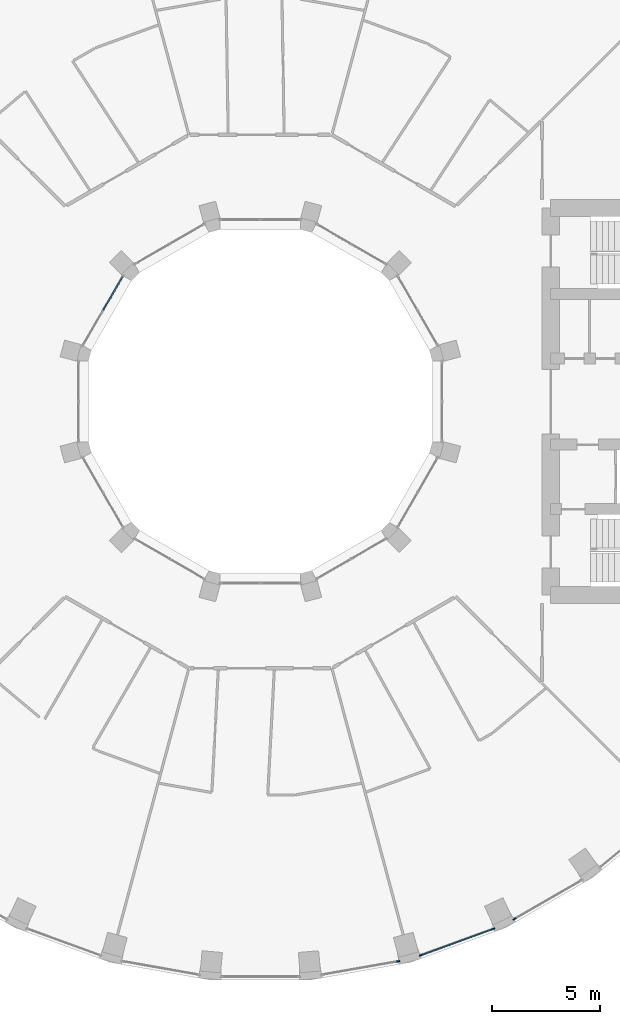
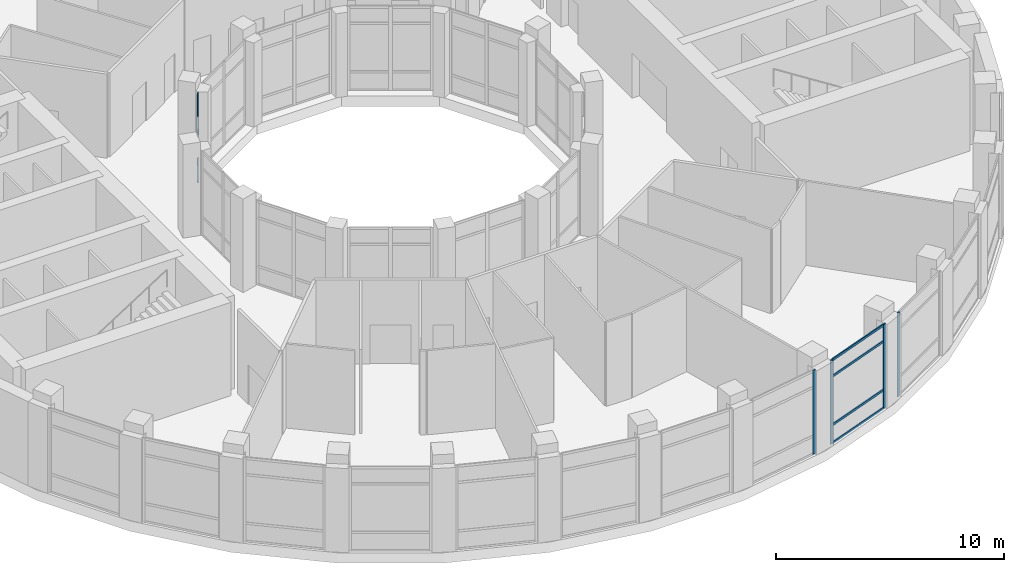
# One storey, part 4 of 18: 11 members, 4 elements without a shape of their own.
"""IFC4 building model written with IfcOpenShell, lengths in metres."""

from ifc_helpers import new_model, si_unit, direction, frame, origin, origin_2d, place, context, subcontext, project, spatial, rectangle, extrude, material, layer, layer_set, material_profile, profile_set, type_object, element, aggregate, save


model = new_model("IFC4")

# Units and contexts
model_context = context("Model", 3, precision=1e-05, world=origin(), true_north=direction((0.0, 1.0)))
body_context = subcontext(model_context, "Body", "Model", "MODEL_VIEW")
ifc_project = project(units=[si_unit("LENGTHUNIT", "METRE"), si_unit("AREAUNIT", "SQUARE_METRE"), si_unit("VOLUMEUNIT", "CUBIC_METRE"), si_unit("PLANEANGLEUNIT", "RADIAN"), si_unit("MASSUNIT", "GRAM", prefix="KILO")], contexts=[model_context])

# Site, building, storey
site_placement = place(None, origin())
site = spatial("IfcSite", under=ifc_project, at=site_placement, CompositionType="ELEMENT")
building_placement = place(site_placement, origin())
building = spatial("IfcBuilding", under=site, at=building_placement, Name="Saqina Gate Tower", CompositionType="ELEMENT")
storey_placement = place(building_placement, frame((0.0, 0.0, 86.89990234375)))
storey = spatial("IfcBuildingStorey", under=building, at=storey_placement, Name="L24", CompositionType="ELEMENT", Elevation=86.89990234375)

# Curtain wall, member
ifc_material_1 = material(Name="Aluminium glazing", Category="aluminium")
ifc_layer_1 = layer(ifc_material_1, 0.159912109375)
ifc_layer_set_1 = layer_set([ifc_layer_1], Name="CWT-2")
curtain_wall_type_1 = type_object("IfcCurtainWallType", Name="CWT-2", PredefinedType="NOTDEFINED", material=ifc_layer_set_1)
curtain_wall_1_placement = place(storey_placement, origin())
curtain_wall_1 = element("IfcCurtainWall", 1, at=curtain_wall_1_placement, inside=storey, type_object=curtain_wall_type_1, Name="Sky lounge glazing facet 28", PredefinedType="NOTDEFINED")
ifc_material_2 = material(Name="Aluminium", Category="aluminium")
ifc_material_profile_1 = material_profile(ifc_material_2, rectangle(XDim=0.06005859375, YDim=0.159912109375, at=origin_2d()), Name="Aluminium 60x160")
ifc_profile_set_1 = profile_set([ifc_material_profile_1], Name="Aluminium")
member_type_1 = type_object("IfcMemberType", Name="CWT-2M", PredefinedType="MULLION", material=ifc_profile_set_1)
member_1_placement = place(storey_placement, frame((6.411376953125, -26.029296875, 0.0), z_axis=(0.0, 0.0, 1.0), x_axis=(-0.17363832834, 0.984809489664, 0.0)))
member_1 = element("IfcMember", 2, at=member_1_placement, type_object=member_type_1, Name="CW2-28 mullion 2", PredefinedType="MULLION", context=body_context, shape_type="SweptSolid", body=[
    extrude(rectangle(XDim=0.06005859375, YDim=0.159912109375, at=origin_2d()), origin(), (0.0, 0.0, 1.0), 4.5),
])
aggregate(curtain_wall_1, [member_1])

# Curtain wall, members
curtain_wall_2_placement = place(storey_placement, origin())
curtain_wall_2 = element("IfcCurtainWall", 3, at=curtain_wall_2_placement, inside=storey, type_object=curtain_wall_type_1, Name="Sky lounge glazing facet 29", PredefinedType="NOTDEFINED")
member_2_placement = place(storey_placement, frame((7.46240234375, -25.747802734375, 0.0), z_axis=(0.0, 0.0, 1.0), x_axis=(-0.342015987197, 0.939694133483, 0.0)))
member_2 = element("IfcMember", 4, at=member_2_placement, type_object=member_type_1, Name="CW2-29 mullion 1", PredefinedType="MULLION", context=body_context, shape_type="SweptSolid", body=[
    extrude(rectangle(XDim=0.06005859375, YDim=0.159912109375, at=origin_2d()), origin(), (0.0, 0.0, 1.0), 4.5),
])
member_3_placement = place(storey_placement, frame((10.833740234375, -24.520751953125, 0.0), z_axis=(0.0, 0.0, 1.0), x_axis=(-0.342015987197, 0.939694133483, 0.0)))
member_3 = element("IfcMember", 5, at=member_3_placement, type_object=member_type_1, Name="CW2-29 mullion 2", PredefinedType="MULLION", context=body_context, shape_type="SweptSolid", body=[
    extrude(rectangle(XDim=0.06005859375, YDim=0.159912109375, at=origin_2d()), origin(), (0.0, 0.0, 1.0), 4.5),
])

# Curtain wall, member
curtain_wall_3_placement = place(storey_placement, origin())
curtain_wall_3 = element("IfcCurtainWall", 6, at=curtain_wall_3_placement, inside=storey, type_object=curtain_wall_type_1, Name="Sky lounge glazing facet 30", PredefinedType="NOTDEFINED")
member_4_placement = place(storey_placement, frame((11.820068359375, -24.060791015625, 0.0), z_axis=(0.0, 0.0, 1.0), x_axis=(-0.499998512381, 0.86602626266, 0.0)))
member_4 = element("IfcMember", 7, at=member_4_placement, type_object=member_type_1, Name="CW2-30 mullion 1", PredefinedType="MULLION", context=body_context, shape_type="SweptSolid", body=[
    extrude(rectangle(XDim=0.06005859375, YDim=0.159912109375, at=origin_2d()), origin(), (0.0, 0.0, 1.0), 4.5),
])
aggregate(curtain_wall_3, [member_4])

# Member
ifc_material_3 = material(Name="Aluminium", Category="aluminium")
ifc_material_profile_2 = material_profile(ifc_material_3, rectangle(XDim=0.06005859375, YDim=0.1201171875, at=origin_2d()), Name="Aluminium 60x120")
ifc_profile_set_2 = profile_set([ifc_material_profile_2], Name="Aluminium")
member_type_2 = type_object("IfcMemberType", Name="CWT-2T", PredefinedType="USERDEFINED", material=ifc_profile_set_2)
member_5_placement = place(storey_placement, frame((7.490478515625, -25.737548828125, 0.030029296875), z_axis=(0.939700445258, 0.341998645001, 0.0), x_axis=(-0.341998645001, 0.939700445258, 0.0)))
member_5 = element("IfcMember", 8, at=member_5_placement, type_object=member_type_2, Name="CW2-29 transom 1.1", ObjectType="TRANSOM", PredefinedType="USERDEFINED", context=body_context, shape_type="SweptSolid", body=[
    extrude(rectangle(XDim=0.06005859375, YDim=0.1201171875, at=origin_2d()), origin(), (0.0, 0.0, 1.0), 3.52783203125),
])

member_6_placement = place(storey_placement, frame((7.490478515625, -25.737548828125, 1.0), z_axis=(0.939700445258, 0.341998645001, 0.0), x_axis=(-0.341998645001, 0.939700445258, 0.0)))
member_6 = element("IfcMember", 9, at=member_6_placement, type_object=member_type_2, Name="CW2-29 transom 1.2", ObjectType="TRANSOM", PredefinedType="USERDEFINED", context=body_context, shape_type="SweptSolid", body=[
    extrude(rectangle(XDim=0.06005859375, YDim=0.1201171875, at=origin_2d()), origin(), (0.0, 0.0, 1.0), 3.52783203125),
])

member_7_placement = place(storey_placement, frame((7.490478515625, -25.737548828125, 3.60009765625), z_axis=(0.939700445258, 0.341998645001, 0.0), x_axis=(-0.341998645001, 0.939700445258, 0.0)))
member_7 = element("IfcMember", 10, at=member_7_placement, type_object=member_type_2, Name="CW2-29 transom 1.3", ObjectType="TRANSOM", PredefinedType="USERDEFINED", context=body_context, shape_type="SweptSolid", body=[
    extrude(rectangle(XDim=0.06005859375, YDim=0.1201171875, at=origin_2d()), origin(), (0.0, 0.0, 1.0), 3.52783203125),
])

member_8_placement = place(storey_placement, frame((7.490478515625, -25.737548828125, 4.47021484375), z_axis=(0.939700445258, 0.341998645001, 0.0), x_axis=(-0.341998645001, 0.939700445258, 0.0)))
member_8 = element("IfcMember", 11, at=member_8_placement, type_object=member_type_2, Name="CW2-29 transom 1.4", ObjectType="TRANSOM", PredefinedType="USERDEFINED", context=body_context, shape_type="SweptSolid", body=[
    extrude(rectangle(XDim=0.06005859375, YDim=0.1201171875, at=origin_2d()), origin(), (0.0, 0.0, 1.0), 3.52783203125),
])

aggregate(curtain_wall_2, [member_2, member_3, member_5, member_6, member_7, member_8])

# Curtain wall, members
ifc_material_4 = material(Name="Aluminium glazing", Category="aluminium")
ifc_layer_2 = layer(ifc_material_4, 0.159912109375)
ifc_layer_set_2 = layer_set([ifc_layer_2], Name="CWT-3")
curtain_wall_type_2 = type_object("IfcCurtainWallType", Name="CWT-3", PredefinedType="NOTDEFINED", material=ifc_layer_set_2)
curtain_wall_4_placement = place(storey_placement, origin())
curtain_wall_4 = element("IfcCurtainWall", 12, at=curtain_wall_4_placement, inside=storey, type_object=curtain_wall_type_2, Name="Sky lounge well glazing L24 facet 5", PredefinedType="NOTDEFINED")
ifc_material_5 = material(Name="Aluminium", Category="aluminium")
ifc_material_profile_3 = material_profile(ifc_material_5, rectangle(XDim=0.06005859375, YDim=0.1201171875, at=origin_2d()), Name="Aluminium 60x120")
ifc_profile_set_3 = profile_set([ifc_material_profile_3], Name="Aluminium")
member_type_3 = type_object("IfcMemberType", Name="CWT-3T", PredefinedType="USERDEFINED", material=ifc_profile_set_3)
member_9_placement = place(storey_placement, frame((-6.4111328125, 5.795654296875, 1.0), z_axis=(-0.500010763282, -0.866019189511, 0.0), x_axis=(0.866019189511, -0.500010763282, 0.0)))
member_9 = element("IfcMember", 13, at=member_9_placement, type_object=member_type_3, Name="CW3-05 transom 1.2", ObjectType="TRANSOM", PredefinedType="USERDEFINED", context=body_context, shape_type="SweptSolid", body=[
    extrude(rectangle(XDim=0.06005859375, YDim=0.1201171875, at=origin_2d()), origin(), (0.0, 0.0, 1.0), 1.78369140625),
])
member_10_placement = place(storey_placement, frame((-6.4111328125, 5.795654296875, 3.60009765625), z_axis=(-0.500010763282, -0.866019189511, 0.0), x_axis=(0.866019189511, -0.500010763282, 0.0)))
member_10 = element("IfcMember", 14, at=member_10_placement, type_object=member_type_3, Name="CW3-05 transom 1.3", ObjectType="TRANSOM", PredefinedType="USERDEFINED", context=body_context, shape_type="SweptSolid", body=[
    extrude(rectangle(XDim=0.06005859375, YDim=0.1201171875, at=origin_2d()), origin(), (0.0, 0.0, 1.0), 1.78369140625),
])
member_11_placement = place(storey_placement, frame((-6.4111328125, 5.795654296875, 4.47021484375), z_axis=(-0.500010763282, -0.866019189511, 0.0), x_axis=(0.866019189511, -0.500010763282, 0.0)))
member_11 = element("IfcMember", 15, at=member_11_placement, type_object=member_type_3, Name="CW3-05 transom 1.4", ObjectType="TRANSOM", PredefinedType="USERDEFINED", context=body_context, shape_type="SweptSolid", body=[
    extrude(rectangle(XDim=0.06005859375, YDim=0.1201171875, at=origin_2d()), origin(), (0.0, 0.0, 1.0), 1.78369140625),
])
aggregate(curtain_wall_4, [member_9, member_10, member_11])

save(model, "model.ifc")
